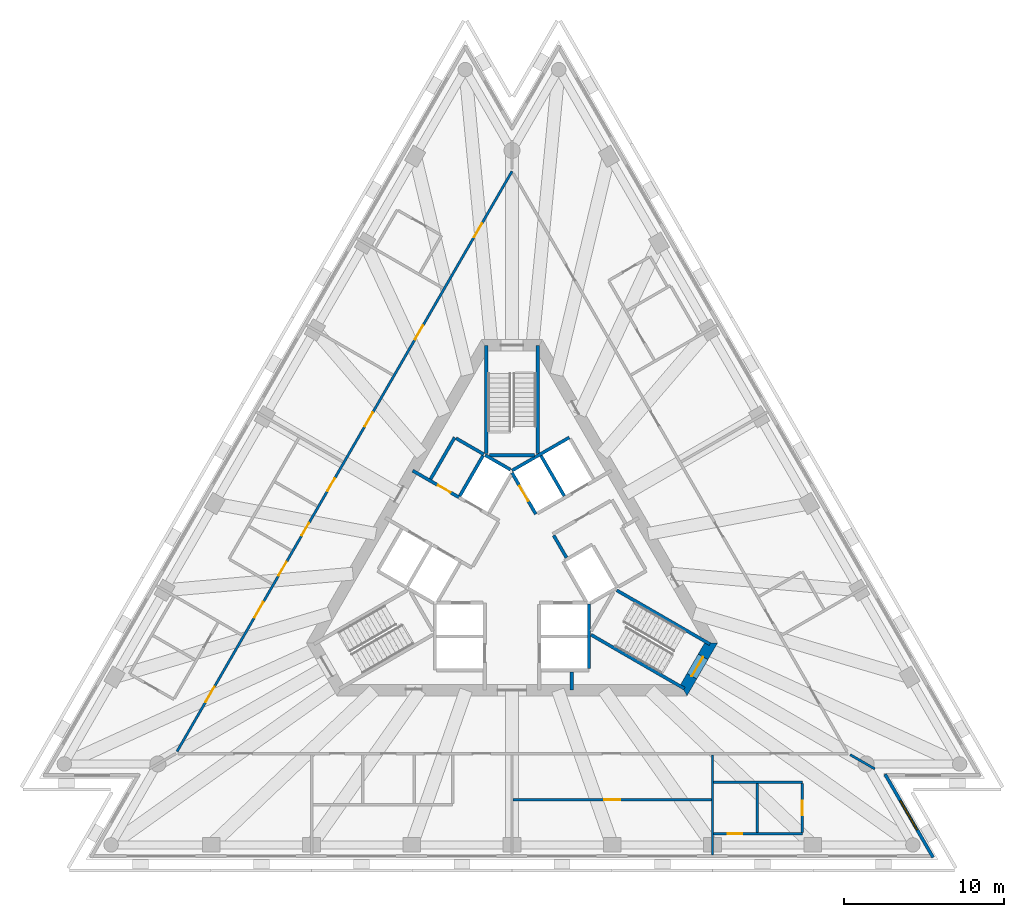
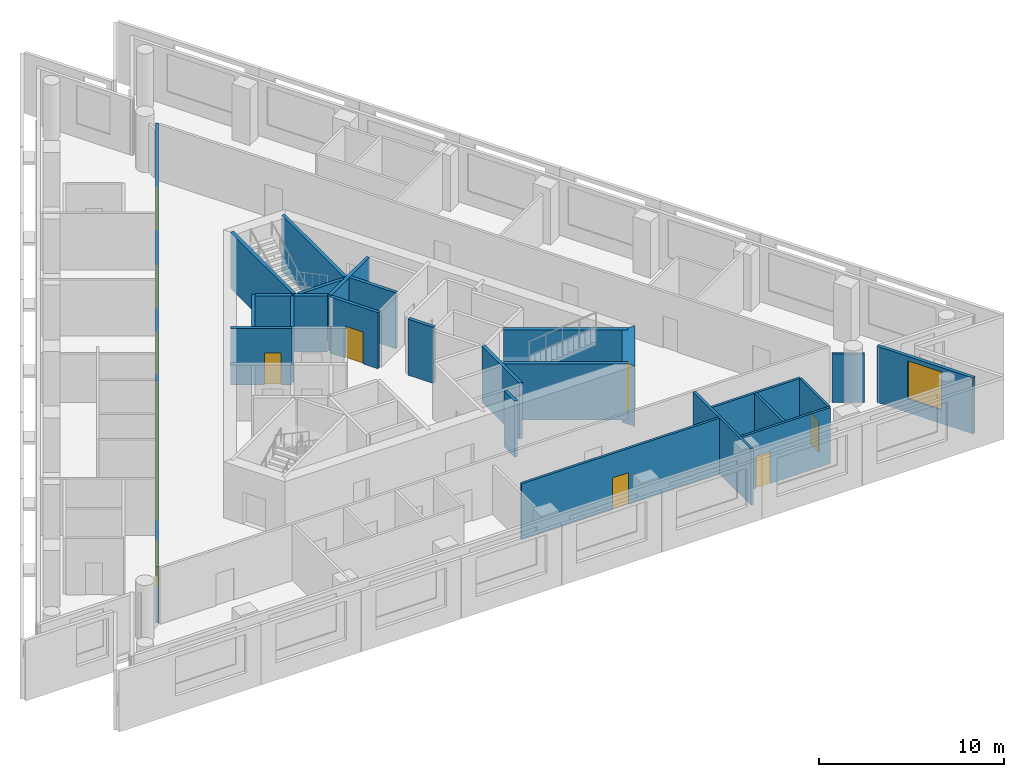
# One storey, part 5 of 10: 26 walls, 14 doors, 1 window, 15 openings.
"""IFC4 building model written with IfcOpenShell, lengths in metres."""

from ifc_helpers import new_model, si_unit, direction, frame, frame_2d, origin, place, context, subcontext, project, spatial, polyline, rectangle, outline, extrude, material, layer, layer_set, layer_usage, type_object, element, fill, save


model = new_model("IFC4")

# Units and contexts
model_context = context("Model", 3, precision=1e-05, world=origin(), true_north=direction((0.0, 1.0)))
body_context = subcontext(model_context, "Body", "Model", "MODEL_VIEW")
ifc_project = project(units=[si_unit("LENGTHUNIT", "METRE"), si_unit("AREAUNIT", "SQUARE_METRE"), si_unit("VOLUMEUNIT", "CUBIC_METRE"), si_unit("PLANEANGLEUNIT", "RADIAN"), si_unit("MASSUNIT", "GRAM", prefix="KILO")], contexts=[model_context])

# Site, building, storey
site_placement = place(None, origin())
site = spatial("IfcSite", under=ifc_project, at=site_placement, CompositionType="ELEMENT")
building_placement = place(site_placement, origin())
building = spatial("IfcBuilding", under=site, at=building_placement, Name="Triada Interchange Tower", CompositionType="ELEMENT")
storey_placement = place(building_placement, frame((0.0, 0.0, 191.300048828125)))
storey = spatial("IfcBuildingStorey", under=building, at=storey_placement, Name="L44", CompositionType="ELEMENT", Elevation=191.300048828125)

# Wall
ifc_material_1 = material(Name="Concrete C30/37", Category="concrete")
ifc_layer_1 = layer(ifc_material_1, 0.199951171875)
ifc_layer_set_1 = layer_set([ifc_layer_1], Name="CORE WALL 200 EI 120")
wall_type_1 = type_object("IfcWallType", Name="CORE WALL 200 EI 120", PredefinedType="SOLIDWALL", material=ifc_layer_set_1)
wall_1_placement = place(storey_placement, frame((-0.001953125, 5.541015625, 0.0), z_axis=(0.0, 0.0, 1.0), x_axis=(0.86600155993, 0.500041296494, 0.0)))
element("IfcWall", 1, at=wall_1_placement, inside=storey, type_object=wall_type_1, Name="Wall L44 54", PredefinedType="SOLIDWALL", context=body_context, shape_type="SweptSolid", body=[
    extrude(rectangle(XDim=4.131591796875, YDim=0.199951171875, at=frame_2d((2.06591796875, 0.0))), origin(), (0.0, 0.0, 1.0), 3.699951171875),
])

# Wall, opening, door
wall_2_placement = place(storey_placement, frame((0.0, 5.39990234375, 0.0), z_axis=(0.0, 0.0, 1.0), x_axis=(0.500103862429, -0.865965430478, 0.0)))
wall_2 = element("IfcWall", 2, at=wall_2_placement, inside=storey, type_object=wall_type_1, Name="Wall L44 55", PredefinedType="SOLIDWALL", context=body_context, shape_type="SweptSolid", body=[
    extrude(rectangle(XDim=2.973388671875, YDim=0.199951171875, at=frame_2d((1.48681640625, 0.0))), origin(), (0.0, 0.0, 1.0), 3.699951171875),
])
opening_1_placement = place(wall_2_placement, frame((0.93701171875, 0.0, 0.0)))
opening_1 = element("IfcOpeningElement", 3, at=opening_1_placement, cuts=wall_2, Name="Opening LD-HR5", PredefinedType="OPENING", context=body_context, shape_type="SweptSolid", body=[
    extrude(rectangle(XDim=1.10009765625, YDim=2.10009765625, at=frame_2d((0.550048828125, 1.050048828125))), frame((0.0, 0.10986328125, 0.0), z_axis=(0.0, -1.0, 0.0), x_axis=(1.0, 0.0, 0.0)), (0.0, 0.0, 1.0), 0.219970703125),
])
ifc_material_2 = material(Name="Steel S235 door leaf", Category="steel")
door_type_1 = type_object("IfcDoorType", Name="LIFT LANDING DOOR 1100 EI 120", OperationType="SLIDING_TO_LEFT", PredefinedType="DOOR", material=ifc_material_2)
door_1_placement = place(opening_1_placement, origin())
door_1 = element("IfcDoor", 4, at=door_1_placement, inside=storey, type_object=door_type_1, Name="HR5 landing door L44", OperationType="SLIDING_TO_LEFT", OverallHeight=2.10009765625, OverallWidth=1.10009765625, PredefinedType="DOOR", context=body_context, shape_type="SweptSolid", body=[
    extrude(rectangle(XDim=1.10009765625, YDim=2.10009765625, at=frame_2d((0.550048828125, 1.050048828125))), frame((0.0, 0.02490234375, 0.0), z_axis=(0.0, -1.0, 0.0), x_axis=(1.0, 0.0, 0.0)), (0.0, 0.0, 1.0), 0.050048828125),
])
fill(opening_1, door_1)

# Walls
wall_3_placement = place(storey_placement, frame((4.800048828125, -6.800048828125, 0.0), z_axis=(0.0, 0.0, 1.0), x_axis=(0.0, 1.0, 0.0)))
element("IfcWall", 5, at=wall_3_placement, inside=storey, type_object=wall_type_1, Name="Wall L44 59", PredefinedType="SOLIDWALL", context=body_context, shape_type="SweptSolid", body=[
    extrude(rectangle(XDim=4.029052734375, YDim=0.199951171875, at=frame_2d((2.0146484375, 0.0))), origin(), (0.0, 0.0, 1.0), 3.699951171875),
])
wall_4_placement = place(storey_placement, frame((1.806884765625, 6.469970703125, 0.0), z_axis=(0.0, 0.0, 1.0), x_axis=(0.50012328804, -0.865954211699, 0.0)))
element("IfcWall", 6, at=wall_4_placement, inside=storey, type_object=wall_type_1, Name="Wall L44 63", PredefinedType="SOLIDWALL", context=body_context, shape_type="SweptSolid", body=[
    extrude(rectangle(XDim=2.899658203125, YDim=0.199951171875, at=frame_2d((1.44970703125, 0.0))), origin(), (0.0, 0.0, 1.0), 3.699951171875),
])
wall_5_placement = place(storey_placement, frame((2.597900390625, 1.5, 0.0), z_axis=(0.0, 0.0, 1.0), x_axis=(0.499929347863, -0.866066190972, 0.0)))
element("IfcWall", 7, at=wall_5_placement, inside=storey, type_object=wall_type_1, Name="Wall L44 68", PredefinedType="SOLIDWALL", context=body_context, shape_type="SweptSolid", body=[
    extrude(rectangle(XDim=1.600341796875, YDim=0.199951171875, at=frame_2d((0.80029296875, 0.0))), origin(), (0.0, 0.0, 1.0), 3.699951171875),
])

# Wall, opening, door
ifc_layer_2 = layer(ifc_material_1, 0.199951171875)
ifc_layer_set_2 = layer_set([ifc_layer_2], Name="CORE WALL 200 EI 180")
wall_type_2 = type_object("IfcWallType", Name="CORE WALL 200 EI 180", PredefinedType="SOLIDWALL", material=ifc_layer_set_2)
wall_6_placement = place(storey_placement, frame((-6.19091796875, 5.537109375, 0.0), z_axis=(0.0, 0.0, 1.0), x_axis=(0.866052607023, -0.499952879648, 0.0)))
wall_6 = element("IfcWall", 8, at=wall_6_placement, inside=storey, type_object=wall_type_2, Name="Wall L44 71", PredefinedType="SOLIDWALL", context=body_context, shape_type="SweptSolid", body=[
    extrude(rectangle(XDim=3.332275390625, YDim=0.199951171875, at=frame_2d((1.666015625, 0.0))), origin(), (0.0, 0.0, 1.0), 3.699951171875),
])
opening_2_placement = place(wall_6_placement, frame((1.830078125, 0.0, 0.0)))
opening_2 = element("IfcOpeningElement", 9, at=opening_2_placement, cuts=wall_6, Name="Opening D44-10", PredefinedType="OPENING", context=body_context, shape_type="SweptSolid", body=[
    extrude(rectangle(XDim=0.89990234375, YDim=2.10009765625, at=frame_2d((0.449951171875, 1.050048828125))), frame((0.0, 0.10986328125, 0.0), z_axis=(0.0, -1.0, 0.0), x_axis=(1.0, 0.0, 0.0)), (0.0, 0.0, 1.0), 0.219970703125),
])
door_type_2 = type_object("IfcDoorType", Name="SERVICE DOOR 900 EI2 90-C5S200", OperationType="NOTDEFINED", PredefinedType="DOOR", material=ifc_material_2)
door_2_placement = place(opening_2_placement, origin())
door_2 = element("IfcDoor", 10, at=door_2_placement, inside=storey, type_object=door_type_2, Name="Door D44-10 L44", OperationType="SINGLE_SWING_LEFT", OverallHeight=2.10009765625, OverallWidth=0.89990234375, PredefinedType="DOOR", context=body_context, shape_type="SweptSolid", body=[
    extrude(rectangle(XDim=0.89990234375, YDim=2.10009765625, at=frame_2d((0.449951171875, 1.050048828125))), frame((0.0, 0.02490234375, 0.0), z_axis=(0.0, -1.0, 0.0), x_axis=(1.0, 0.0, 0.0)), (0.0, 0.0, 1.0), 0.050048828125),
])
fill(opening_2, door_2)

# Walls
wall_7_placement = place(storey_placement, frame((-5.075927734375, 5.009033203125, 0.0), z_axis=(0.0, 0.0, 1.0), x_axis=(0.50002537861, 0.866010750942, 0.0)))
element("IfcWall", 11, at=wall_7_placement, inside=storey, type_object=wall_type_2, Name="Wall L44 73", PredefinedType="SOLIDWALL", context=body_context, shape_type="SweptSolid", body=[
    extrude(rectangle(XDim=2.999755859375, YDim=0.199951171875, at=frame_2d((1.5, 0.0))), origin(), (0.0, 0.0, 1.0), 3.699951171875),
])
wall_8_placement = place(storey_placement, frame((-3.489013671875, 7.556884765625, 0.0), z_axis=(0.0, 0.0, 1.0), x_axis=(0.866010750942, -0.50002537861, 0.0)))
element("IfcWall", 12, at=wall_8_placement, inside=storey, type_object=wall_type_2, Name="Wall L44 74", PredefinedType="SOLIDWALL", context=body_context, shape_type="SweptSolid", body=[
    extrude(rectangle(XDim=2.0, YDim=0.199951171875, at=frame_2d((1.0, 0.0))), origin(), (0.0, 0.0, 1.0), 3.699951171875),
])
wall_9_placement = place(storey_placement, frame((-3.257080078125, 3.958984375, 0.0), z_axis=(0.0, 0.0, 1.0), x_axis=(0.50012328804, 0.865954211699, 0.0)))
element("IfcWall", 13, at=wall_9_placement, inside=storey, type_object=wall_type_2, Name="Shaft wall FF2 L44 81", PredefinedType="SOLIDWALL", context=body_context, shape_type="SweptSolid", body=[
    extrude(rectangle(XDim=2.899658203125, YDim=0.199951171875, at=frame_2d((1.44970703125, 0.0))), origin(), (0.0, 0.0, 1.0), 3.699951171875),
])
wall_10_placement = place(storey_placement, frame((-1.669921875, 6.507080078125, 0.0), z_axis=(0.0, 0.0, 1.0), x_axis=(0.865941441609, -0.500145398563, 0.0)))
element("IfcWall", 14, at=wall_10_placement, inside=storey, type_object=wall_type_2, Name="Shaft wall FF2 L44 82", PredefinedType="SOLIDWALL", context=body_context, shape_type="SweptSolid", body=[
    extrude(rectangle(XDim=1.8154296875, YDim=0.199951171875, at=frame_2d((0.90771484375, 0.0))), origin(), (0.0, 0.0, 1.0), 3.699951171875),
])
ifc_layer_3 = layer(ifc_material_1, 0.199951171875)
ifc_layer_set_3 = layer_set([ifc_layer_3], Name="CORE WALL 200 EI 90")
wall_type_3 = type_object("IfcWallType", Name="CORE WALL 200 EI 90", PredefinedType="SOLIDWALL", material=ifc_layer_set_3)
wall_11_placement = place(storey_placement, frame((3.72412109375, -8.1298828125, 0.0), z_axis=(0.0, 0.0, 1.0), x_axis=(0.0, 1.0, 0.0)))
element("IfcWall", 15, at=wall_11_placement, inside=storey, type_object=wall_type_3, Name="Wall L44 84", PredefinedType="SOLIDWALL", context=body_context, shape_type="SweptSolid", body=[
    extrude(rectangle(XDim=1.1298828125, YDim=0.199951171875, at=frame_2d((0.56494140625, 0.0))), origin(), (0.0, 0.0, 1.0), 3.699951171875),
])
ifc_layer_4 = layer(ifc_material_1, 0.199951171875)
ifc_layer_set_4 = layer_set([ifc_layer_4], Name="CORE WALL 200 REI 240")
wall_type_4 = type_object("IfcWallType", Name="CORE WALL 200 REI 240", PredefinedType="SOLIDWALL", material=ifc_layer_set_4)
wall_12_placement = place(storey_placement, frame((1.60009765625, 6.614990234375, 0.0), z_axis=(0.0, 0.0, 1.0), x_axis=(0.0, 1.0, 0.0)))
element("IfcWall", 16, at=wall_12_placement, inside=storey, type_object=wall_type_4, Name="Wall L44 91", PredefinedType="SOLIDWALL", context=body_context, shape_type="SweptSolid", body=[
    extrude(rectangle(XDim=6.715087890625, YDim=0.199951171875, at=frame_2d((3.357421875, 0.0))), origin(), (0.0, 0.0, 1.0), 3.699951171875),
])
wall_13_placement = place(storey_placement, frame((-1.39990234375, 6.5, 0.0), z_axis=(0.0, 0.0, 1.0), x_axis=(1.0, 0.0, 0.0)))
element("IfcWall", 17, at=wall_13_placement, inside=storey, type_object=wall_type_4, Name="Wall L44 92", PredefinedType="SOLIDWALL", context=body_context, shape_type="SweptSolid", body=[
    extrude(rectangle(XDim=2.7998046875, YDim=0.199951171875, at=frame_2d((1.39990234375, 0.0))), origin(), (0.0, 0.0, 1.0), 3.699951171875),
])
wall_14_placement = place(storey_placement, frame((-1.60009765625, 6.614990234375, 0.0), z_axis=(0.0, 0.0, 1.0), x_axis=(0.0, 1.0, 0.0)))
element("IfcWall", 18, at=wall_14_placement, inside=storey, type_object=wall_type_4, Name="Wall L44 93", PredefinedType="SOLIDWALL", context=body_context, shape_type="SweptSolid", body=[
    extrude(rectangle(XDim=6.715087890625, YDim=0.199951171875, at=frame_2d((3.357421875, 0.0))), origin(), (0.0, 0.0, 1.0), 3.699951171875),
])
wall_15_placement = place(storey_placement, frame((4.928955078125, -4.693115234375, 0.0), z_axis=(0.0, 0.0, 1.0), x_axis=(0.865983344943, -0.500072840975, 0.0)))
element("IfcWall", 19, at=wall_15_placement, inside=storey, type_object=wall_type_4, Name="Wall L44 94", PredefinedType="SOLIDWALL", context=body_context, shape_type="SweptSolid", body=[
    extrude(rectangle(XDim=6.71484375, YDim=0.199951171875, at=frame_2d((3.357421875, 0.0))), origin(), (0.0, 0.0, 1.0), 3.699951171875),
])
wall_16_placement = place(storey_placement, frame((6.529052734375, -1.922119140625, 0.0), z_axis=(0.0, 0.0, 1.0), x_axis=(0.866046323291, -0.499963764601, 0.0)))
element("IfcWall", 20, at=wall_16_placement, inside=storey, type_object=wall_type_4, Name="Wall L44 96", PredefinedType="SOLIDWALL", context=body_context, shape_type="SweptSolid", body=[
    extrude(rectangle(XDim=6.71435546875, YDim=0.199951171875, at=frame_2d((3.357177734375, 0.0))), origin(), (0.0, 0.0, 1.0), 3.699951171875),
])

# Wall, opening, door
ifc_material_3 = material(Name="Concrete C50/60", Category="concrete")
ifc_layer_5 = layer(ifc_material_3, 0.699951171875)
ifc_layer_set_5 = layer_set([ifc_layer_5], Name="Core wall C 700")
wall_type_5 = type_object("IfcWallType", Name="Core wall C 700", PredefinedType="SHEAR", material=ifc_layer_set_5)
wall_17_placement = place(storey_placement, frame((10.7099609375, -8.14990234375, -0.300048828125), z_axis=(0.0, 0.0, 1.0), x_axis=(0.49999337185, 0.866029230515, 0.0)))
wall_17 = element("IfcWall", 21, at=wall_17_placement, inside=storey, type_object=wall_type_5, Name="Core wall WC05 L44", PredefinedType="SHEAR", context=body_context, shape_type="SweptSolid", body=[
    extrude(outline(polyline([(-0.201904296875, -0.35009765625), (1.703125, -0.35009765625), (3.60791015625, -0.35009765625), (3.2041015625, 0.35009765625), (1.703125, 0.35009765625), (0.201904296875, 0.35009765625), (-0.201904296875, -0.35009765625)])), origin(), (0.0, 0.0, 1.0), 4.0),
])
opening_3_placement = place(wall_17_placement, frame((1.0029296875, 0.0, 0.300048828125)))
opening_3 = element("IfcOpeningElement", 22, at=opening_3_placement, cuts=wall_17, Name="Opening D44-42", PredefinedType="OPENING", context=body_context, shape_type="SweptSolid", body=[
    extrude(rectangle(XDim=1.39990234375, YDim=2.10009765625, at=frame_2d((0.699951171875, 1.050048828125))), frame((0.0, 0.360107421875, 0.0), z_axis=(0.0, -1.0, 0.0), x_axis=(1.0, 0.0, 0.0)), (0.0, 0.0, 1.0), 0.72021484375),
])
door_type_3 = type_object("IfcDoorType", Name="STAIR DOOR 1400 EI2 90-C5S200", OperationType="DOUBLE_DOOR_SINGLE_SWING", PredefinedType="DOOR", material=ifc_material_2)
door_3_placement = place(opening_3_placement, origin())
door_3 = element("IfcDoor", 23, at=door_3_placement, inside=storey, type_object=door_type_3, Name="Door D44-42 L44", OperationType="DOUBLE_DOOR_SINGLE_SWING", OverallHeight=2.10009765625, OverallWidth=1.39990234375, PredefinedType="DOOR", context=body_context, shape_type="SweptSolid", body=[
    extrude(rectangle(XDim=1.39990234375, YDim=2.10009765625, at=frame_2d((0.699951171875, 1.050048828125))), frame((0.0, 0.02490234375, 0.0), z_axis=(0.0, -1.0, 0.0), x_axis=(1.0, 0.0, 0.0)), (0.0, 0.0, 1.0), 0.050048828125),
])
fill(opening_3, door_3)

# Wall, opening, window
ifc_material_4 = material(Name="Cement board")
ifc_layer_6 = layer(ifc_material_4, 0.02001953125, Name="Cement board cladding")
ifc_material_5 = material(Name="Sheathing board")
ifc_layer_7 = layer(ifc_material_5, 0.014892578125, Name="Sheathing board")
ifc_material_6 = material(Name="Mineral wool")
ifc_layer_8 = layer(ifc_material_6, 0.14990234375, Name="Mineral wool between steel studs")
ifc_material_7 = material(Name="Gypsum board")
ifc_layer_9 = layer(ifc_material_7, 0.014892578125, Name="Plasterboard lining")
ifc_layer_set_6 = layer_set([ifc_layer_6, ifc_layer_7, ifc_layer_8, ifc_layer_9], Name="External wall 200")
ifc_layer_usage = layer_usage(ifc_layer_set_6, "AXIS2", "POSITIVE", -0.10009765625)
wall_type_6 = type_object("IfcWallType", Name="External wall 200", PredefinedType="ELEMENTEDWALL", material=ifc_layer_set_6)
wall_18_placement = place(storey_placement, frame((26.2509765625, -18.572998046875, 0.0), z_axis=(0.0, 0.0, 1.0), x_axis=(-0.499896541353, 0.866085127423, 0.0)))
wall_18 = element("IfcWall", 24, at=wall_18_placement, inside=storey, type_object=wall_type_6, material=ifc_layer_usage, Name="External wall L44 SE-1", PredefinedType="ELEMENTEDWALL", context=body_context, shape_type="SweptSolid", body=[
    extrude(rectangle(XDim=5.989013671875, YDim=0.199951171875, at=frame_2d((2.99462890625, 0.0))), origin(), (0.0, 0.0, 1.0), 3.699951171875),
])
opening_4_placement = place(wall_18_placement, frame((1.989990234375, 0.0, 0.89990234375)))
opening_4 = element("IfcOpeningElement", 25, at=opening_4_placement, cuts=wall_18, Name="Opening WC19", PredefinedType="OPENING", context=body_context, shape_type="SweptSolid", body=[
    extrude(rectangle(XDim=2.10009765625, YDim=2.5, at=frame_2d((1.050048828125, 1.25))), frame((0.0, 0.10986328125, 0.0), z_axis=(0.0, -1.0, 0.0), x_axis=(1.0, 0.0, 0.0)), (0.0, 0.0, 1.0), 0.219970703125),
])
ifc_material_8 = material(Name="Double glazed aluminium window", Category="aluminium")
window_type = type_object("IfcWindowType", Name="Ribbon window C pocket", PartitioningType="SINGLE_PANEL", PredefinedType="WINDOW", material=ifc_material_8)
window_placement = place(opening_4_placement, origin())
window = element("IfcWindow", 26, at=window_placement, inside=storey, type_object=window_type, Name="Window L44 SE-1 1", OverallHeight=2.5, OverallWidth=2.10009765625, PartitioningType="SINGLE_PANEL", PredefinedType="WINDOW", context=body_context, shape_type="SweptSolid", body=[
    extrude(rectangle(XDim=2.10009765625, YDim=2.5, at=frame_2d((1.050048828125, 1.25))), frame((0.0, 0.030029296875, 0.0), z_axis=(0.0, -1.0, 0.0), x_axis=(1.0, 0.0, 0.0)), (0.0, 0.0, 1.0), 0.06005859375),
])
fill(opening_4, window)

# Wall, openings, doors
ifc_material_9 = material(Name="Gypsum board partition")
ifc_layer_10 = layer(ifc_material_9, 0.14990234375)
ifc_layer_set_7 = layer_set([ifc_layer_10], Name="PARTITION 150 EI 180")
wall_type_7 = type_object("IfcWallType", Name="PARTITION 150 EI 180", PredefinedType="PARTITIONING", material=ifc_layer_set_7)
wall_19_placement = place(storey_placement, frame((-20.882080078125, -11.968994140625, 0.0), z_axis=(0.0, 0.0, 1.0), x_axis=(0.499998738735, 0.866026131975, 0.0)))
wall_19 = element("IfcWall", 27, at=wall_19_placement, inside=storey, type_object=wall_type_7, Name="Wall L44 4", PredefinedType="PARTITIONING", context=body_context, shape_type="SweptSolid", body=[
    extrude(rectangle(XDim=41.76416015625, YDim=0.14990234375, at=frame_2d((20.882080078125, 0.0))), origin(), (0.0, 0.0, 1.0), 3.699951171875),
])
opening_5_placement = place(wall_19_placement, frame((37.013916015625, 0.0, 0.0)))
opening_5 = element("IfcOpeningElement", 28, at=opening_5_placement, cuts=wall_19, Name="Opening D44-28", PredefinedType="OPENING", context=body_context, shape_type="SweptSolid", body=[
    extrude(rectangle(XDim=1.0, YDim=2.10009765625, at=frame_2d((0.5, 1.050048828125))), frame((0.0, 0.0849609375, 0.0), z_axis=(0.0, -1.0, 0.0), x_axis=(1.0, 0.0, 0.0)), (0.0, 0.0, 1.0), 0.169921875),
])
opening_6_placement = place(wall_19_placement, frame((29.653076171875, 0.0, 0.0)))
opening_6 = element("IfcOpeningElement", 29, at=opening_6_placement, cuts=wall_19, Name="Opening D44-30", PredefinedType="OPENING", context=body_context, shape_type="SweptSolid", body=[
    extrude(rectangle(XDim=1.0, YDim=2.10009765625, at=frame_2d((0.5, 1.050048828125))), frame((0.0, 0.0849609375, 0.0), z_axis=(0.0, -1.0, 0.0), x_axis=(1.0, 0.0, 0.0)), (0.0, 0.0, 1.0), 0.169921875),
])
opening_7_placement = place(wall_19_placement, frame((23.405029296875, 0.0, 0.0)))
opening_7 = element("IfcOpeningElement", 30, at=opening_7_placement, cuts=wall_19, Name="Opening D44-31", PredefinedType="OPENING", context=body_context, shape_type="SweptSolid", body=[
    extrude(rectangle(XDim=1.0, YDim=2.10009765625, at=frame_2d((0.5, 1.050048828125))), frame((0.0, 0.0849609375, 0.0), z_axis=(0.0, -1.0, 0.0), x_axis=(1.0, 0.0, 0.0)), (0.0, 0.0, 1.0), 0.169921875),
])
opening_8_placement = place(wall_19_placement, frame((9.656982421875, 0.0, 0.0)))
opening_8 = element("IfcOpeningElement", 31, at=opening_8_placement, cuts=wall_19, Name="Opening D44-32", PredefinedType="OPENING", context=body_context, shape_type="SweptSolid", body=[
    extrude(rectangle(XDim=1.10009765625, YDim=2.10009765625, at=frame_2d((0.550048828125, 1.050048828125))), frame((0.0, 0.0849609375, 0.0), z_axis=(0.0, -1.0, 0.0), x_axis=(1.0, 0.0, 0.0)), (0.0, 0.0, 1.0), 0.169921875),
])
opening_9_placement = place(wall_19_placement, frame((18.757080078125, 0.0, 0.0)))
opening_9 = element("IfcOpeningElement", 32, at=opening_9_placement, cuts=wall_19, Name="Opening D44-33", PredefinedType="OPENING", context=body_context, shape_type="SweptSolid", body=[
    extrude(rectangle(XDim=0.89990234375, YDim=2.10009765625, at=frame_2d((0.449951171875, 1.050048828125))), frame((0.0, 0.0849609375, 0.0), z_axis=(0.0, -1.0, 0.0), x_axis=(1.0, 0.0, 0.0)), (0.0, 0.0, 1.0), 0.169921875),
])
opening_10_placement = place(wall_19_placement, frame((15.556884765625, 0.0, 0.0)))
opening_10 = element("IfcOpeningElement", 33, at=opening_10_placement, cuts=wall_19, Name="Opening D44-34", PredefinedType="OPENING", context=body_context, shape_type="SweptSolid", body=[
    extrude(rectangle(XDim=0.89990234375, YDim=2.10009765625, at=frame_2d((0.449951171875, 1.050048828125))), frame((0.0, 0.0849609375, 0.0), z_axis=(0.0, -1.0, 0.0), x_axis=(1.0, 0.0, 0.0)), (0.0, 0.0, 1.0), 0.169921875),
])
opening_11_placement = place(wall_19_placement, frame((12.656982421875, 0.0, 0.0)))
opening_11 = element("IfcOpeningElement", 34, at=opening_11_placement, cuts=wall_19, Name="Opening D44-35", PredefinedType="OPENING", context=body_context, shape_type="SweptSolid", body=[
    extrude(rectangle(XDim=1.0, YDim=2.10009765625, at=frame_2d((0.5, 1.050048828125))), frame((0.0, 0.0849609375, 0.0), z_axis=(0.0, -1.0, 0.0), x_axis=(1.0, 0.0, 0.0)), (0.0, 0.0, 1.0), 0.169921875),
])
opening_12_placement = place(wall_19_placement, frame((3.56005859375, 0.0, 0.0)))
opening_12 = element("IfcOpeningElement", 35, at=opening_12_placement, cuts=wall_19, Name="Opening D44-36", PredefinedType="OPENING", context=body_context, shape_type="SweptSolid", body=[
    extrude(rectangle(XDim=1.10009765625, YDim=2.10009765625, at=frame_2d((0.550048828125, 1.050048828125))), frame((0.0, 0.0849609375, 0.0), z_axis=(0.0, -1.0, 0.0), x_axis=(1.0, 0.0, 0.0)), (0.0, 0.0, 1.0), 0.169921875),
])
door_type_4 = type_object("IfcDoorType", Name="ROOM DOOR 1000 EI2 90-C5S200", OperationType="NOTDEFINED", PredefinedType="DOOR", material=ifc_material_2)
door_4_placement = place(opening_5_placement, origin())
door_4 = element("IfcDoor", 36, at=door_4_placement, inside=storey, type_object=door_type_4, Name="Door D44-28 L44", OperationType="SINGLE_SWING_RIGHT", OverallHeight=2.10009765625, OverallWidth=1.0, PredefinedType="DOOR", context=body_context, shape_type="SweptSolid", body=[
    extrude(rectangle(XDim=1.0, YDim=2.10009765625, at=frame_2d((0.5, 1.050048828125))), frame((0.0, 0.02490234375, 0.0), z_axis=(0.0, -1.0, 0.0), x_axis=(1.0, 0.0, 0.0)), (0.0, 0.0, 1.0), 0.050048828125),
])
fill(opening_5, door_4)
door_5_placement = place(opening_6_placement, origin())
door_5 = element("IfcDoor", 37, at=door_5_placement, inside=storey, type_object=door_type_4, Name="Door D44-30 L44", OperationType="SINGLE_SWING_RIGHT", OverallHeight=2.10009765625, OverallWidth=1.0, PredefinedType="DOOR", context=body_context, shape_type="SweptSolid", body=[
    extrude(rectangle(XDim=1.0, YDim=2.10009765625, at=frame_2d((0.5, 1.050048828125))), frame((0.0, 0.02490234375, 0.0), z_axis=(0.0, -1.0, 0.0), x_axis=(1.0, 0.0, 0.0)), (0.0, 0.0, 1.0), 0.050048828125),
])
fill(opening_6, door_5)
door_6_placement = place(opening_7_placement, origin())
door_6 = element("IfcDoor", 38, at=door_6_placement, inside=storey, type_object=door_type_4, Name="Door D44-31 L44", OperationType="SINGLE_SWING_RIGHT", OverallHeight=2.10009765625, OverallWidth=1.0, PredefinedType="DOOR", context=body_context, shape_type="SweptSolid", body=[
    extrude(rectangle(XDim=1.0, YDim=2.10009765625, at=frame_2d((0.5, 1.050048828125))), frame((0.0, 0.02490234375, 0.0), z_axis=(0.0, -1.0, 0.0), x_axis=(1.0, 0.0, 0.0)), (0.0, 0.0, 1.0), 0.050048828125),
])
fill(opening_7, door_6)
door_7_placement = place(opening_11_placement, origin())
door_7 = element("IfcDoor", 39, at=door_7_placement, inside=storey, type_object=door_type_4, Name="Door D44-35 L44", OperationType="SINGLE_SWING_RIGHT", OverallHeight=2.10009765625, OverallWidth=1.0, PredefinedType="DOOR", context=body_context, shape_type="SweptSolid", body=[
    extrude(rectangle(XDim=1.0, YDim=2.10009765625, at=frame_2d((0.5, 1.050048828125))), frame((0.0, 0.02490234375, 0.0), z_axis=(0.0, -1.0, 0.0), x_axis=(1.0, 0.0, 0.0)), (0.0, 0.0, 1.0), 0.050048828125),
])
fill(opening_11, door_7)
door_type_5 = type_object("IfcDoorType", Name="ROOM DOOR 900 EI2 90-C5S200", OperationType="NOTDEFINED", PredefinedType="DOOR", material=ifc_material_2)
door_8_placement = place(opening_9_placement, origin())
door_8 = element("IfcDoor", 40, at=door_8_placement, inside=storey, type_object=door_type_5, Name="Door D44-33 L44", OperationType="SINGLE_SWING_LEFT", OverallHeight=2.10009765625, OverallWidth=0.89990234375, PredefinedType="DOOR", context=body_context, shape_type="SweptSolid", body=[
    extrude(rectangle(XDim=0.89990234375, YDim=2.10009765625, at=frame_2d((0.449951171875, 1.050048828125))), frame((0.0, 0.02490234375, 0.0), z_axis=(0.0, -1.0, 0.0), x_axis=(1.0, 0.0, 0.0)), (0.0, 0.0, 1.0), 0.050048828125),
])
fill(opening_9, door_8)
door_9_placement = place(opening_10_placement, origin())
door_9 = element("IfcDoor", 41, at=door_9_placement, inside=storey, type_object=door_type_5, Name="Door D44-34 L44", OperationType="SINGLE_SWING_RIGHT", OverallHeight=2.10009765625, OverallWidth=0.89990234375, PredefinedType="DOOR", context=body_context, shape_type="SweptSolid", body=[
    extrude(rectangle(XDim=0.89990234375, YDim=2.10009765625, at=frame_2d((0.449951171875, 1.050048828125))), frame((0.0, 0.02490234375, 0.0), z_axis=(0.0, -1.0, 0.0), x_axis=(1.0, 0.0, 0.0)), (0.0, 0.0, 1.0), 0.050048828125),
])
fill(opening_10, door_9)
door_type_6 = type_object("IfcDoorType", Name="TENANCY ENTRANCE DOOR 1100 EI2 90-C5S200", OperationType="NOTDEFINED", PredefinedType="DOOR", material=ifc_material_2)
door_10_placement = place(opening_8_placement, origin())
door_10 = element("IfcDoor", 42, at=door_10_placement, inside=storey, type_object=door_type_6, Name="Door D44-32 L44", OperationType="SINGLE_SWING_LEFT", OverallHeight=2.10009765625, OverallWidth=1.10009765625, PredefinedType="DOOR", context=body_context, shape_type="SweptSolid", body=[
    extrude(rectangle(XDim=1.10009765625, YDim=2.10009765625, at=frame_2d((0.550048828125, 1.050048828125))), frame((0.0, 0.02490234375, 0.0), z_axis=(0.0, -1.0, 0.0), x_axis=(1.0, 0.0, 0.0)), (0.0, 0.0, 1.0), 0.050048828125),
])
fill(opening_8, door_10)
door_11_placement = place(opening_12_placement, origin())
door_11 = element("IfcDoor", 43, at=door_11_placement, inside=storey, type_object=door_type_6, Name="Door D44-36 L44", OperationType="SINGLE_SWING_LEFT", OverallHeight=2.10009765625, OverallWidth=1.10009765625, PredefinedType="DOOR", context=body_context, shape_type="SweptSolid", body=[
    extrude(rectangle(XDim=1.10009765625, YDim=2.10009765625, at=frame_2d((0.550048828125, 1.050048828125))), frame((0.0, 0.02490234375, 0.0), z_axis=(0.0, -1.0, 0.0), x_axis=(1.0, 0.0, 0.0)), (0.0, 0.0, 1.0), 0.050048828125),
])
fill(opening_12, door_11)

# Walls
wall_20_placement = place(storey_placement, frame((21.0869140625, -12.174072265625, 0.0), z_axis=(0.0, 0.0, 1.0), x_axis=(0.866022094817, -0.500005731256, 0.0)))
element("IfcWall", 44, at=wall_20_placement, inside=storey, type_object=wall_type_7, Name="Wall L44 10", PredefinedType="PARTITIONING", context=body_context, shape_type="SweptSolid", body=[
    extrude(rectangle(XDim=1.765625, YDim=0.14990234375, at=frame_2d((0.8828125, 0.0))), origin(), (0.0, 0.0, 1.0), 3.199951171875),
])
wall_21_placement = place(storey_placement, frame((12.4970703125, -18.4150390625, 0.0), z_axis=(0.0, 0.0, 1.0), x_axis=(0.0, 1.0, 0.0)))
element("IfcWall", 45, at=wall_21_placement, inside=storey, type_object=wall_type_7, Name="Wall L44 23", PredefinedType="PARTITIONING", context=body_context, shape_type="SweptSolid", body=[
    extrude(rectangle(XDim=6.239990234375, YDim=0.14990234375, at=frame_2d((3.1201171875, 0.0))), origin(), (0.0, 0.0, 1.0), 3.699951171875),
])

# Wall, opening, door
ifc_layer_11 = layer(ifc_material_9, 0.14990234375)
ifc_layer_set_8 = layer_set([ifc_layer_11], Name="PARTITION 150 EI 90")
wall_type_8 = type_object("IfcWallType", Name="PARTITION 150 EI 90", PredefinedType="PARTITIONING", material=ifc_layer_set_8)
wall_22_placement = place(storey_placement, frame((0.074951171875, -14.97802734375, 0.0), z_axis=(0.0, 0.0, 1.0), x_axis=(1.0, 0.0, 0.0)))
wall_22 = element("IfcWall", 46, at=wall_22_placement, inside=storey, type_object=wall_type_8, Name="Wall L44 34", PredefinedType="PARTITIONING", context=body_context, shape_type="SweptSolid", body=[
    extrude(rectangle(XDim=12.34716796875, YDim=0.14990234375, at=frame_2d((6.173583984375, 0.0))), origin(), (0.0, 0.0, 1.0), 3.699951171875),
])
opening_13_placement = place(wall_22_placement, frame((5.675048828125, 0.0, 0.0)))
opening_13 = element("IfcOpeningElement", 47, at=opening_13_placement, cuts=wall_22, Name="Opening D44-17", PredefinedType="OPENING", context=body_context, shape_type="SweptSolid", body=[
    extrude(rectangle(XDim=1.0, YDim=2.10009765625, at=frame_2d((0.5, 1.050048828125))), frame((0.0, 0.0849609375, 0.0), z_axis=(0.0, -1.0, 0.0), x_axis=(1.0, 0.0, 0.0)), (0.0, 0.0, 1.0), 0.169921875),
])
door_type_7 = type_object("IfcDoorType", Name="ROOM DOOR 1000 EI2 45-C5S200", OperationType="NOTDEFINED", PredefinedType="DOOR", material=ifc_material_2)
door_12_placement = place(opening_13_placement, origin())
door_12 = element("IfcDoor", 48, at=door_12_placement, inside=storey, type_object=door_type_7, Name="Door D44-17 L44", OperationType="SINGLE_SWING_RIGHT", OverallHeight=2.10009765625, OverallWidth=1.0, PredefinedType="DOOR", context=body_context, shape_type="SweptSolid", body=[
    extrude(rectangle(XDim=1.0, YDim=2.10009765625, at=frame_2d((0.5, 1.050048828125))), frame((0.0, 0.02490234375, 0.0), z_axis=(0.0, -1.0, 0.0), x_axis=(1.0, 0.0, 0.0)), (0.0, 0.0, 1.0), 0.050048828125),
])
fill(opening_13, door_12)

wall_23_placement = place(storey_placement, frame((12.572021484375, -17.097900390625, 0.0), z_axis=(0.0, 0.0, 1.0), x_axis=(1.0, 0.0, 0.0)))
wall_23 = element("IfcWall", 49, at=wall_23_placement, inside=storey, type_object=wall_type_8, Name="Wall L44 40", PredefinedType="PARTITIONING", context=body_context, shape_type="SweptSolid", body=[
    extrude(rectangle(XDim=5.52490234375, YDim=0.14990234375, at=frame_2d((2.762451171875, 0.0))), origin(), (0.0, 0.0, 1.0), 3.699951171875),
])
opening_14_placement = place(wall_23_placement, frame((0.875, 0.0, 0.0)))
opening_14 = element("IfcOpeningElement", 50, at=opening_14_placement, cuts=wall_23, Name="Opening D44-19", PredefinedType="OPENING", context=body_context, shape_type="SweptSolid", body=[
    extrude(rectangle(XDim=0.89990234375, YDim=2.10009765625, at=frame_2d((0.449951171875, 1.050048828125))), frame((0.0, 0.0849609375, 0.0), z_axis=(0.0, -1.0, 0.0), x_axis=(1.0, 0.0, 0.0)), (0.0, 0.0, 1.0), 0.169921875),
])
door_type_8 = type_object("IfcDoorType", Name="ROOM DOOR 900 EI2 45-C5S200", OperationType="NOTDEFINED", PredefinedType="DOOR", material=ifc_material_2)
door_13_placement = place(opening_14_placement, origin())
door_13 = element("IfcDoor", 51, at=door_13_placement, inside=storey, type_object=door_type_8, Name="Door D44-19 L44", OperationType="SINGLE_SWING_LEFT", OverallHeight=2.10009765625, OverallWidth=0.89990234375, PredefinedType="DOOR", context=body_context, shape_type="SweptSolid", body=[
    extrude(rectangle(XDim=0.89990234375, YDim=2.10009765625, at=frame_2d((0.449951171875, 1.050048828125))), frame((0.0, 0.02490234375, 0.0), z_axis=(0.0, -1.0, 0.0), x_axis=(1.0, 0.0, 0.0)), (0.0, 0.0, 1.0), 0.050048828125),
])
fill(opening_14, door_13)

# Wall
wall_24_placement = place(storey_placement, frame((12.572021484375, -13.89990234375, 0.0), z_axis=(0.0, 0.0, 1.0), x_axis=(1.0, 0.0, 0.0)))
element("IfcWall", 52, at=wall_24_placement, inside=storey, type_object=wall_type_8, Name="Wall L44 41", PredefinedType="PARTITIONING", context=body_context, shape_type="SweptSolid", body=[
    extrude(rectangle(XDim=5.52490234375, YDim=0.14990234375, at=frame_2d((2.762451171875, 0.0))), origin(), (0.0, 0.0, 1.0), 3.699951171875),
])

# Wall, opening, door
wall_25_placement = place(storey_placement, frame((18.096923828125, -17.02294921875, 0.0), z_axis=(0.0, 0.0, 1.0), x_axis=(0.0, 1.0, 0.0)))
wall_25 = element("IfcWall", 53, at=wall_25_placement, inside=storey, type_object=wall_type_8, Name="Wall L44 42", PredefinedType="PARTITIONING", context=body_context, shape_type="SweptSolid", body=[
    extrude(rectangle(XDim=3.0478515625, YDim=0.14990234375, at=frame_2d((1.52392578125, 0.0))), origin(), (0.0, 0.0, 1.0), 3.699951171875),
])
opening_15_placement = place(wall_25_placement, frame((1.072998046875, 0.0, 0.0)))
opening_15 = element("IfcOpeningElement", 54, at=opening_15_placement, cuts=wall_25, Name="Opening D44-20", PredefinedType="OPENING", context=body_context, shape_type="SweptSolid", body=[
    extrude(rectangle(XDim=0.89990234375, YDim=2.10009765625, at=frame_2d((0.449951171875, 1.050048828125))), frame((0.0, 0.0849609375, 0.0), z_axis=(0.0, -1.0, 0.0), x_axis=(1.0, 0.0, 0.0)), (0.0, 0.0, 1.0), 0.169921875),
])
door_14_placement = place(opening_15_placement, origin())
door_14 = element("IfcDoor", 55, at=door_14_placement, inside=storey, type_object=door_type_8, Name="Door D44-20 L44", OperationType="SINGLE_SWING_LEFT", OverallHeight=2.10009765625, OverallWidth=0.89990234375, PredefinedType="DOOR", context=body_context, shape_type="SweptSolid", body=[
    extrude(rectangle(XDim=0.89990234375, YDim=2.10009765625, at=frame_2d((0.449951171875, 1.050048828125))), frame((0.0, 0.02490234375, 0.0), z_axis=(0.0, -1.0, 0.0), x_axis=(1.0, 0.0, 0.0)), (0.0, 0.0, 1.0), 0.050048828125),
])
fill(opening_15, door_14)

# Wall
wall_26_placement = place(storey_placement, frame((15.297119140625, -17.02294921875, 0.0), z_axis=(0.0, 0.0, 1.0), x_axis=(0.0, 1.0, 0.0)))
element("IfcWall", 56, at=wall_26_placement, inside=storey, type_object=wall_type_8, Name="Wall L44 43", PredefinedType="PARTITIONING", context=body_context, shape_type="SweptSolid", body=[
    extrude(rectangle(XDim=3.0478515625, YDim=0.14990234375, at=frame_2d((1.52392578125, 0.0))), origin(), (0.0, 0.0, 1.0), 3.699951171875),
])

save(model, "model.ifc")
